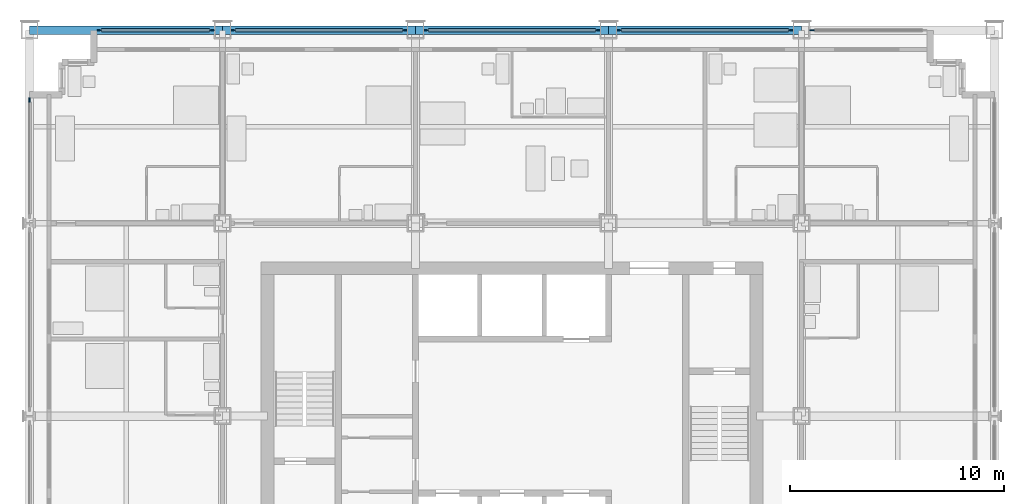
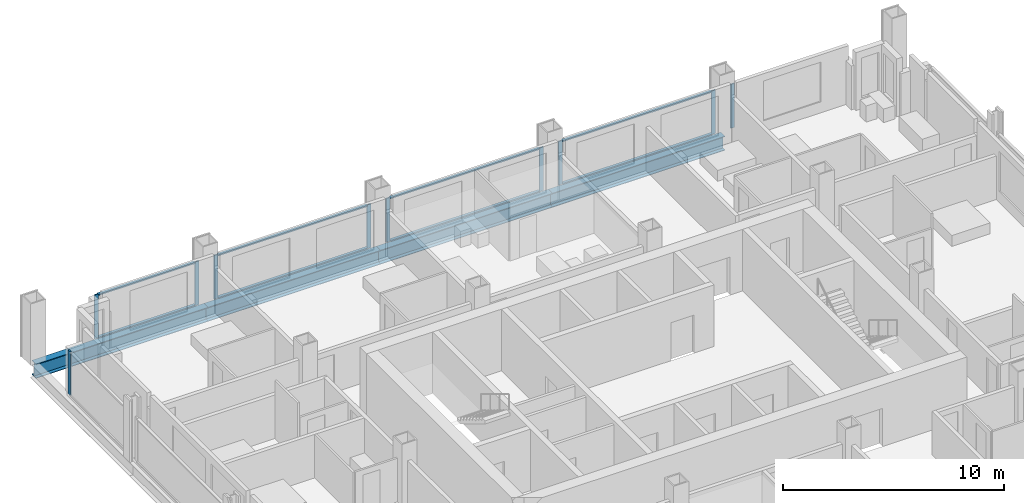
# One storey, part 6 of 16: 18 members, 4 beams, 6 elements without a shape of their own.
"""IFC4 building model written with IfcOpenShell, lengths in metres."""

import ifcopenshell
import ifcopenshell.guid

model = None  # the IFC model being written
_history = None  # IfcOwnerHistory: only IFC2X3 demands one
_inside = {}  # id of a spatial element -> (the spatial element, [elements in it])
_under = {}  # id of a project, library or spatial element -> (it, [spatial elements below it])
_declared = {}  # id of a project -> (the project, [libraries it declares])
_typed = {}  # id of a type object -> (the type object, [elements of that type])
_made_of = {}  # id of a material, layer set ... -> (it, [elements and type objects made of it])


def new_model(schema):
    """Start an empty IFC model of exactly this schema.

    Asked for "IFC4X3", IfcOpenShell would pick the latest addendum, in which some entities
    have other attributes; the version numbers below select the first issue.
    IFC2X3 requires an IfcOwnerHistory on every rooted entity: one is made here for all.
    """
    global model, _history
    if schema == "IFC4X3":
        model = ifcopenshell.file(schema_version=(4, 3, 0, 0))
    else:
        model = ifcopenshell.file(schema=schema)
    _inside.clear()
    _under.clear()
    _declared.clear()
    _typed.clear()
    _made_of.clear()
    _history = None
    if model.schema == "IFC2X3":
        org = make("IfcOrganization", Name="unknown")
        user = make(
            "IfcPersonAndOrganization",
            ThePerson=make("IfcPerson", FamilyName="unknown"),
            TheOrganization=org,
        )
        app = make(
            "IfcApplication",
            ApplicationDeveloper=org,
            Version="unknown",
            ApplicationFullName="unknown",
            ApplicationIdentifier="unknown",
        )
        _history = make(
            "IfcOwnerHistory",
            OwningUser=user,
            OwningApplication=app,
            ChangeAction="ADDED",
            CreationDate=0,
        )
    return model


def make(cls, **values):
    """One entity of the class cls with the attributes given. An attribute that is None is left unset."""
    return model.create_entity(
        cls, **{name: value for name, value in values.items() if value is not None}
    )


def rooted(cls, **values):
    """An entity with a GlobalId (a new one), such as an element, a storey or a relation."""
    return make(cls, GlobalId=ifcopenshell.guid.new(), OwnerHistory=_history, **values)


def si_unit(unit_type, name, prefix=None):
    """IfcSIUnit, for example si_unit("LENGTHUNIT", "METRE", prefix="MILLI")."""
    return make("IfcSIUnit", UnitType=unit_type, Prefix=prefix, Name=name)


def assignment(units):
    """IfcUnitAssignment: the units of a project."""
    return None if units is None else make("IfcUnitAssignment", Units=units)


def point(xyz):
    """IfcCartesianPoint."""
    return None if xyz is None else make("IfcCartesianPoint", Coordinates=xyz)


def direction(xyz):
    """IfcDirection."""
    return None if xyz is None else make("IfcDirection", DirectionRatios=xyz)


def frame(location, z_axis=None, x_axis=None):
    """IfcAxis2Placement3D, a coordinate frame: its origin and axes. An axis left out is left unset."""
    return make(
        "IfcAxis2Placement3D",
        Location=point(location),
        Axis=direction(z_axis),
        RefDirection=direction(x_axis),
    )


def frame_2d(location, x_axis=None):
    """IfcAxis2Placement2D, a coordinate frame in the plane: its origin and x axis."""
    return make(
        "IfcAxis2Placement2D", Location=point(location), RefDirection=direction(x_axis)
    )


def origin():
    """The frame at (0, 0, 0) with its axes left unset."""
    return frame((0.0, 0.0, 0.0))


def origin_2d():
    """The frame at (0, 0) in the plane with its x axis left unset."""
    return frame_2d((0.0, 0.0))


def place(relative_to, where):
    """IfcLocalPlacement: puts the frame where relative to a parent placement (None: the world)."""
    return make(
        "IfcLocalPlacement", PlacementRelTo=relative_to, RelativePlacement=where
    )


def context(
    kind, dimensions, precision=None, world=None, true_north=None, identifier=None
):
    """IfcGeometricRepresentationContext, for example the 3D "Model" context."""
    return make(
        "IfcGeometricRepresentationContext",
        ContextIdentifier=identifier,
        ContextType=kind,
        CoordinateSpaceDimension=dimensions,
        Precision=precision,
        WorldCoordinateSystem=world,
        TrueNorth=true_north,
    )


def subcontext(parent, identifier, kind, view, scale=None):
    """IfcGeometricRepresentationSubContext, for example "Body" below "Model"."""
    return make(
        "IfcGeometricRepresentationSubContext",
        ContextIdentifier=identifier,
        ContextType=kind,
        ParentContext=parent,
        TargetScale=scale,
        TargetView=view,
    )


def project(units=None, contexts=None):
    """IfcProject with its units and contexts."""
    return rooted(
        "IfcProject",
        Name="project",
        RepresentationContexts=contexts,
        UnitsInContext=assignment(units),
    )


def spatial(cls, under=None, at=None, **own):
    """A site, building, storey or space (cls), placed at a placement, below another one or the project."""
    s = rooted(cls, ObjectPlacement=at, **own)
    if under is not None:
        _under.setdefault(under.id(), (under, []))[1].append(s)
    return s


def profile(cls, at=None, kind="AREA", **sizes):
    """A parametric profile (cls). Its sizes go by their IFC names, for example OverallWidth=200.0."""
    return make(cls, ProfileType=kind, Position=at, **sizes)


def rectangle(**sizes):
    """IfcRectangleProfileDef."""
    return profile("IfcRectangleProfileDef", **sizes)


def i_section(**sizes):
    """IfcIShapeProfileDef."""
    return profile("IfcIShapeProfileDef", **sizes)


def extrude(swept, where, along, depth):
    """IfcExtrudedAreaSolid: the profile swept, set in the frame where, extruded along a direction by depth."""
    return make(
        "IfcExtrudedAreaSolid",
        SweptArea=swept,
        Position=where,
        ExtrudedDirection=direction(along),
        Depth=depth,
    )


def shape(context_of_items, identifier, shape_type, items):
    """IfcShapeRepresentation: the items that make up one representation, for example the "Body"."""
    return make(
        "IfcShapeRepresentation",
        ContextOfItems=context_of_items,
        RepresentationIdentifier=identifier,
        RepresentationType=shape_type,
        Items=items,
    )


def material(Name=None, Category=None):
    """IfcMaterial."""
    return make("IfcMaterial", Name=Name, Category=Category)


def material_profile(
    of_material, cross_section, Name=None, Category=None, Priority=None
):
    """IfcMaterialProfile: a cross section and its material."""
    return make(
        "IfcMaterialProfile",
        Name=Name,
        Material=of_material,
        Profile=cross_section,
        Priority=Priority,
        Category=Category,
    )


def profile_set(profiles, Name=None, composite=None):
    """IfcMaterialProfileSet."""
    return make(
        "IfcMaterialProfileSet",
        Name=Name,
        MaterialProfiles=profiles,
        CompositeProfile=composite,
    )


def made_of(thing, what):
    """Note that an element or type object is made of a material, layer set ...; save() writes the relation."""
    if what is not None:
        _made_of.setdefault(what.id(), (what, []))[1].append(thing)
    return thing


def type_object(cls, material=None, **own):
    """A type object (cls), such as IfcWallType, which elements share."""
    return made_of(rooted(cls, **own), material)


def element(
    cls,
    number,
    at=None,
    inside=None,
    cuts=None,
    type_object=None,
    material=None,
    context=None,
    identifier="Body",
    shape_type=None,
    held_by="IfcProductDefinitionShape",
    body=None,
    shapes=None,
    **own,
):
    """One element of the class cls, such as IfcWall. Its Tag is "e" and its number.

    at: its placement. inside: the storey or other place that contains it. cuts: it is an
    opening in that element (IfcRelVoidsElement). A single representation is given by context,
    identifier, shape_type and body (its items); several are given by shapes. held_by: the class
    of the entity that holds the representations. save() writes the other relations.
    """
    e = rooted(cls, Tag="e%d" % number, ObjectPlacement=at, **own)
    if body is not None:
        shapes = [shape(context, identifier, shape_type, body)]
    if shapes is not None:
        e.Representation = make(held_by, Representations=shapes)
    if inside is not None:
        _inside.setdefault(inside.id(), (inside, []))[1].append(e)
    if cuts is not None:
        rooted(
            "IfcRelVoidsElement", RelatingBuildingElement=cuts, RelatedOpeningElement=e
        )
    if type_object is not None:
        _typed.setdefault(type_object.id(), (type_object, []))[1].append(e)
    return made_of(e, material)


def aggregate(whole, parts):
    """IfcRelAggregates: a whole, such as a stair, and the parts it consists of."""
    return rooted("IfcRelAggregates", RelatingObject=whole, RelatedObjects=parts)


def save(model, path):
    """Write the relations noted so far, then the file.

    IfcRelAggregates (storeys below a building ...), IfcRelContainedInSpatialStructure (elements
    in a storey), IfcRelDefinesByType, IfcRelAssociatesMaterial and IfcRelDeclares: one each for
    every whole, place, type object, material and project.
    """
    for whole, parts in _under.values():
        aggregate(whole, parts)
    for where, things in _inside.values():
        rooted(
            "IfcRelContainedInSpatialStructure",
            RelatedElements=things,
            RelatingStructure=where,
        )
    for kind, things in _typed.values():
        rooted("IfcRelDefinesByType", RelatedObjects=things, RelatingType=kind)
    for what, things in _made_of.values():
        rooted("IfcRelAssociatesMaterial", RelatedObjects=things, RelatingMaterial=what)
    for by, libraries in _declared.values():
        rooted("IfcRelDeclares", RelatingContext=by, RelatedDefinitions=libraries)
    model.write(path)


model = new_model("IFC4")

# Units and contexts
model_context = context("Model", 3, precision=1e-05, world=origin(), true_north=direction((0.0, 1.0)))
body_context = subcontext(model_context, "Body", "Model", "MODEL_VIEW")
ifc_project = project(units=[si_unit("LENGTHUNIT", "METRE"), si_unit("AREAUNIT", "SQUARE_METRE"), si_unit("VOLUMEUNIT", "CUBIC_METRE"), si_unit("PLANEANGLEUNIT", "RADIAN"), si_unit("MASSUNIT", "GRAM", prefix="KILO")], contexts=[model_context])

# Site, building, storey
site_placement = place(None, origin())
site = spatial("IfcSite", under=ifc_project, at=site_placement, CompositionType="ELEMENT")
building_placement = place(site_placement, origin())
building = spatial("IfcBuilding", under=site, at=building_placement, Name="Loomwork Tower", CompositionType="ELEMENT")
storey_placement = place(building_placement, frame((0.0, 0.0, 124.800048828125)))
storey = spatial("IfcBuildingStorey", under=building, at=storey_placement, Name="L33", CompositionType="ELEMENT", Elevation=124.800048828125)

# Curtain wall, members
ifc_material_1 = material(Name="Aluminium curtain wall frame", Category="aluminium")
curtain_wall_type = type_object("IfcCurtainWallType", Name="Outer skin glazing hotel", PredefinedType="NOTDEFINED", material=ifc_material_1)
curtain_wall_1_placement = place(storey_placement, origin())
curtain_wall_1 = element("IfcCurtainWall", 1, at=curtain_wall_1_placement, inside=storey, type_object=curtain_wall_type, Name="Outer skin glazing hotel cw/N-0", PredefinedType="NOTDEFINED")
ifc_material_2 = material(Name="Aluminium curtain wall frame", Category="aluminium")
ifc_material_profile_1 = material_profile(ifc_material_2, rectangle(XDim=0.06494140625, YDim=0.199951171875, at=origin_2d()), Name="AL 65x200")
ifc_profile_set_1 = profile_set([ifc_material_profile_1], Name="Aluminium curtain wall frame")
member_type_1 = type_object("IfcMemberType", Name="Outer skin glazing hotel mullion", PredefinedType="MULLION", material=ifc_profile_set_1)
member_1_placement = place(storey_placement, frame((8.5, 36.0, 0.0), z_axis=(0.0, 0.0, 1.0), x_axis=(0.0, -1.0, 0.0)))
member_1 = element("IfcMember", 2, at=member_1_placement, type_object=member_type_1, Name="CW1 mullion 1", PredefinedType="MULLION", context=body_context, shape_type="SweptSolid", body=[
    extrude(rectangle(XDim=0.06494140625, YDim=0.199951171875, at=origin_2d()), origin(), (0.0, 0.0, 1.0), 2.420166015625),
])
member_2_placement = place(storey_placement, frame((3.25, 36.0, 0.0), z_axis=(0.0, 0.0, 1.0), x_axis=(0.0, -1.0, 0.0)))
member_2 = element("IfcMember", 3, at=member_2_placement, type_object=member_type_1, Name="CW1 mullion 2", PredefinedType="MULLION", context=body_context, shape_type="SweptSolid", body=[
    extrude(rectangle(XDim=0.06494140625, YDim=0.199951171875, at=origin_2d()), origin(), (0.0, 0.0, 1.0), 2.420166015625),
])

curtain_wall_2_placement = place(storey_placement, origin())
curtain_wall_2 = element("IfcCurtainWall", 4, at=curtain_wall_2_placement, inside=storey, type_object=curtain_wall_type, Name="Outer skin glazing hotel cw/N-9", PredefinedType="NOTDEFINED")
member_3_placement = place(storey_placement, frame((17.5, 36.0, 0.0), z_axis=(0.0, 0.0, 1.0), x_axis=(0.0, -1.0, 0.0)))
member_3 = element("IfcMember", 5, at=member_3_placement, type_object=member_type_1, Name="CW1 mullion 1", PredefinedType="MULLION", context=body_context, shape_type="SweptSolid", body=[
    extrude(rectangle(XDim=0.06494140625, YDim=0.199951171875, at=origin_2d()), origin(), (0.0, 0.0, 1.0), 2.420166015625),
])
member_4_placement = place(storey_placement, frame((9.5, 36.0, 0.0), z_axis=(0.0, 0.0, 1.0), x_axis=(0.0, -1.0, 0.0)))
member_4 = element("IfcMember", 6, at=member_4_placement, type_object=member_type_1, Name="CW1 mullion 2", PredefinedType="MULLION", context=body_context, shape_type="SweptSolid", body=[
    extrude(rectangle(XDim=0.06494140625, YDim=0.199951171875, at=origin_2d()), origin(), (0.0, 0.0, 1.0), 2.420166015625),
])

curtain_wall_3_placement = place(storey_placement, origin())
curtain_wall_3 = element("IfcCurtainWall", 7, at=curtain_wall_3_placement, inside=storey, type_object=curtain_wall_type, Name="Outer skin glazing hotel cw/N-18", PredefinedType="NOTDEFINED")
member_5_placement = place(storey_placement, frame((26.5, 36.0, 0.0), z_axis=(0.0, 0.0, 1.0), x_axis=(0.0, -1.0, 0.0)))
member_5 = element("IfcMember", 8, at=member_5_placement, type_object=member_type_1, Name="CW1 mullion 1", PredefinedType="MULLION", context=body_context, shape_type="SweptSolid", body=[
    extrude(rectangle(XDim=0.06494140625, YDim=0.199951171875, at=origin_2d()), origin(), (0.0, 0.0, 1.0), 2.420166015625),
])
member_6_placement = place(storey_placement, frame((18.5, 36.0, 0.0), z_axis=(0.0, 0.0, 1.0), x_axis=(0.0, -1.0, 0.0)))
member_6 = element("IfcMember", 9, at=member_6_placement, type_object=member_type_1, Name="CW1 mullion 2", PredefinedType="MULLION", context=body_context, shape_type="SweptSolid", body=[
    extrude(rectangle(XDim=0.06494140625, YDim=0.199951171875, at=origin_2d()), origin(), (0.0, 0.0, 1.0), 2.420166015625),
])

curtain_wall_4_placement = place(storey_placement, origin())
curtain_wall_4 = element("IfcCurtainWall", 10, at=curtain_wall_4_placement, inside=storey, type_object=curtain_wall_type, Name="Outer skin glazing hotel cw/N-27", PredefinedType="NOTDEFINED")
member_7_placement = place(storey_placement, frame((35.5, 36.0, 0.0), z_axis=(0.0, 0.0, 1.0), x_axis=(0.0, -1.0, 0.0)))
member_7 = element("IfcMember", 11, at=member_7_placement, type_object=member_type_1, Name="CW1 mullion 1", PredefinedType="MULLION", context=body_context, shape_type="SweptSolid", body=[
    extrude(rectangle(XDim=0.06494140625, YDim=0.199951171875, at=origin_2d()), origin(), (0.0, 0.0, 1.0), 2.420166015625),
])
member_8_placement = place(storey_placement, frame((27.5, 36.0, 0.0), z_axis=(0.0, 0.0, 1.0), x_axis=(0.0, -1.0, 0.0)))
member_8 = element("IfcMember", 12, at=member_8_placement, type_object=member_type_1, Name="CW1 mullion 2", PredefinedType="MULLION", context=body_context, shape_type="SweptSolid", body=[
    extrude(rectangle(XDim=0.06494140625, YDim=0.199951171875, at=origin_2d()), origin(), (0.0, 0.0, 1.0), 2.420166015625),
])

# Curtain wall, member
curtain_wall_5_placement = place(storey_placement, origin())
curtain_wall_5 = element("IfcCurtainWall", 13, at=curtain_wall_5_placement, inside=storey, type_object=curtain_wall_type, Name="Outer skin glazing hotel cw/N-36", PredefinedType="NOTDEFINED")
member_9_placement = place(storey_placement, frame((36.5, 36.0, 0.0), z_axis=(0.0, 0.0, 1.0), x_axis=(0.0, -1.0, 0.0)))
member_9 = element("IfcMember", 14, at=member_9_placement, type_object=member_type_1, Name="CW1 mullion 2", PredefinedType="MULLION", context=body_context, shape_type="SweptSolid", body=[
    extrude(rectangle(XDim=0.06494140625, YDim=0.199951171875, at=origin_2d()), origin(), (0.0, 0.0, 1.0), 2.420166015625),
])
aggregate(curtain_wall_5, [member_9])

curtain_wall_6_placement = place(storey_placement, origin())
curtain_wall_6 = element("IfcCurtainWall", 15, at=curtain_wall_6_placement, inside=storey, type_object=curtain_wall_type, Name="Outer skin glazing hotel cw/W-27", PredefinedType="NOTDEFINED")
member_10_placement = place(storey_placement, frame((0.0, 32.75, 0.0), z_axis=(0.0, 0.0, 1.0), x_axis=(1.0, 0.0, 0.0)))
member_10 = element("IfcMember", 16, at=member_10_placement, type_object=member_type_1, Name="CW1 mullion 1", PredefinedType="MULLION", context=body_context, shape_type="SweptSolid", body=[
    extrude(rectangle(XDim=0.06494140625, YDim=0.199951171875, at=origin_2d()), origin(), (0.0, 0.0, 1.0), 2.420166015625),
])
aggregate(curtain_wall_6, [member_10])

# Member
ifc_material_3 = material(Name="Aluminium curtain wall frame", Category="aluminium")
ifc_material_profile_2 = material_profile(ifc_material_3, rectangle(XDim=0.14990234375, YDim=0.06494140625, at=origin_2d()), Name="AL 65x150")
ifc_profile_set_2 = profile_set([ifc_material_profile_2], Name="Aluminium curtain wall frame")
member_type_2 = type_object("IfcMemberType", Name="Outer skin glazing hotel transom", PredefinedType="USERDEFINED", material=ifc_profile_set_2)
member_11_placement = place(storey_placement, frame((8.39990234375, 36.0, 0.032470703125), z_axis=(-1.0, 0.0, 0.0), x_axis=(0.0, -1.0, 0.0)))
member_11 = element("IfcMember", 17, at=member_11_placement, type_object=member_type_2, Name="CW1 transom 1.1", ObjectType="TRANSOM", PredefinedType="USERDEFINED", context=body_context, shape_type="SweptSolid", body=[
    extrude(rectangle(XDim=0.14990234375, YDim=0.06494140625, at=origin_2d()), origin(), (0.0, 0.0, 1.0), 5.0498046875),
])

member_12_placement = place(storey_placement, frame((8.39990234375, 36.0, 2.3876953125), z_axis=(-1.0, 0.0, 0.0), x_axis=(0.0, -1.0, 0.0)))
member_12 = element("IfcMember", 18, at=member_12_placement, type_object=member_type_2, Name="CW1 transom 1.2", ObjectType="TRANSOM", PredefinedType="USERDEFINED", context=body_context, shape_type="SweptSolid", body=[
    extrude(rectangle(XDim=0.14990234375, YDim=0.06494140625, at=origin_2d()), origin(), (0.0, 0.0, 1.0), 5.0498046875),
])

aggregate(curtain_wall_1, [member_1, member_2, member_11, member_12])

member_13_placement = place(storey_placement, frame((17.39990234375, 36.0, 0.032470703125), z_axis=(-1.0, 0.0, 0.0), x_axis=(0.0, -1.0, 0.0)))
member_13 = element("IfcMember", 19, at=member_13_placement, type_object=member_type_2, Name="CW1 transom 1.1", ObjectType="TRANSOM", PredefinedType="USERDEFINED", context=body_context, shape_type="SweptSolid", body=[
    extrude(rectangle(XDim=0.14990234375, YDim=0.06494140625, at=origin_2d()), origin(), (0.0, 0.0, 1.0), 7.7998046875),
])

member_14_placement = place(storey_placement, frame((17.39990234375, 36.0, 2.3876953125), z_axis=(-1.0, 0.0, 0.0), x_axis=(0.0, -1.0, 0.0)))
member_14 = element("IfcMember", 20, at=member_14_placement, type_object=member_type_2, Name="CW1 transom 1.2", ObjectType="TRANSOM", PredefinedType="USERDEFINED", context=body_context, shape_type="SweptSolid", body=[
    extrude(rectangle(XDim=0.14990234375, YDim=0.06494140625, at=origin_2d()), origin(), (0.0, 0.0, 1.0), 7.7998046875),
])

aggregate(curtain_wall_2, [member_3, member_4, member_13, member_14])

member_15_placement = place(storey_placement, frame((26.39990234375, 36.0, 0.032470703125), z_axis=(-1.0, 0.0, 0.0), x_axis=(0.0, -1.0, 0.0)))
member_15 = element("IfcMember", 21, at=member_15_placement, type_object=member_type_2, Name="CW1 transom 1.1", ObjectType="TRANSOM", PredefinedType="USERDEFINED", context=body_context, shape_type="SweptSolid", body=[
    extrude(rectangle(XDim=0.14990234375, YDim=0.06494140625, at=origin_2d()), origin(), (0.0, 0.0, 1.0), 7.7998046875),
])

member_16_placement = place(storey_placement, frame((26.39990234375, 36.0, 2.3876953125), z_axis=(-1.0, 0.0, 0.0), x_axis=(0.0, -1.0, 0.0)))
member_16 = element("IfcMember", 22, at=member_16_placement, type_object=member_type_2, Name="CW1 transom 1.2", ObjectType="TRANSOM", PredefinedType="USERDEFINED", context=body_context, shape_type="SweptSolid", body=[
    extrude(rectangle(XDim=0.14990234375, YDim=0.06494140625, at=origin_2d()), origin(), (0.0, 0.0, 1.0), 7.7998046875),
])

aggregate(curtain_wall_3, [member_5, member_6, member_15, member_16])

member_17_placement = place(storey_placement, frame((35.39990234375, 36.0, 0.032470703125), z_axis=(-1.0, 0.0, 0.0), x_axis=(0.0, -1.0, 0.0)))
member_17 = element("IfcMember", 23, at=member_17_placement, type_object=member_type_2, Name="CW1 transom 1.1", ObjectType="TRANSOM", PredefinedType="USERDEFINED", context=body_context, shape_type="SweptSolid", body=[
    extrude(rectangle(XDim=0.14990234375, YDim=0.06494140625, at=origin_2d()), origin(), (0.0, 0.0, 1.0), 7.7998046875),
])

member_18_placement = place(storey_placement, frame((35.39990234375, 36.0, 2.3876953125), z_axis=(-1.0, 0.0, 0.0), x_axis=(0.0, -1.0, 0.0)))
member_18 = element("IfcMember", 24, at=member_18_placement, type_object=member_type_2, Name="CW1 transom 1.2", ObjectType="TRANSOM", PredefinedType="USERDEFINED", context=body_context, shape_type="SweptSolid", body=[
    extrude(rectangle(XDim=0.14990234375, YDim=0.06494140625, at=origin_2d()), origin(), (0.0, 0.0, 1.0), 7.7998046875),
])

aggregate(curtain_wall_4, [member_7, member_8, member_17, member_18])

# Beams
ifc_material_4 = material(Name="Steel ASTM A992", Category="steel")
ifc_material_profile_3 = material_profile(ifc_material_4, i_section(OverallWidth=0.381103515625, OverallDepth=0.77978515625, WebThickness=0.01806640625, FlangeThickness=0.0302734375, at=origin_2d()), Name="W30x191")
ifc_profile_set_3 = profile_set([ifc_material_profile_3], Name="Steel ASTM A992")
beam_type = type_object("IfcBeamType", Name="SPANDREL GIRDER W30x191", PredefinedType="SPANDREL", material=ifc_profile_set_3)
for number, where, z_axis, x_axis, name in (
    (25, (0.0, 36.0, -0.58984375), (1.0, 0.0, 0.0), (0.0, 1.0, 0.0), "Spandrel Girder H/2-H/3 L33"),
    (26, (9.0, 36.0, -0.58984375), (1.0, 0.0, 0.0), (0.0, 1.0, 0.0), "Spandrel Girder H/3-H/4 L33"),
    (27, (18.0, 36.0, -0.58984375), (1.0, 0.0, 0.0), (0.0, 1.0, 0.0), "Spandrel Girder H/4-H/5 L33"),
    (28, (27.0, 36.0, -0.58984375), (1.0, 0.0, 0.0), (0.0, 1.0, 0.0), "Spandrel Girder H/5-H/6 L33"),
):
    element("IfcBeam", number, at=place(storey_placement, frame(where, z_axis=z_axis, x_axis=x_axis)), inside=storey, type_object=beam_type, Name=name, PredefinedType="SPANDREL", context=body_context, shape_type="SweptSolid", body=[
        extrude(i_section(OverallWidth=0.381103515625, OverallDepth=0.77978515625, WebThickness=0.01806640625, FlangeThickness=0.0302734375, at=origin_2d()), origin(), (0.0, 0.0, 1.0), 9.0),
    ])

save(model, "model.ifc")
